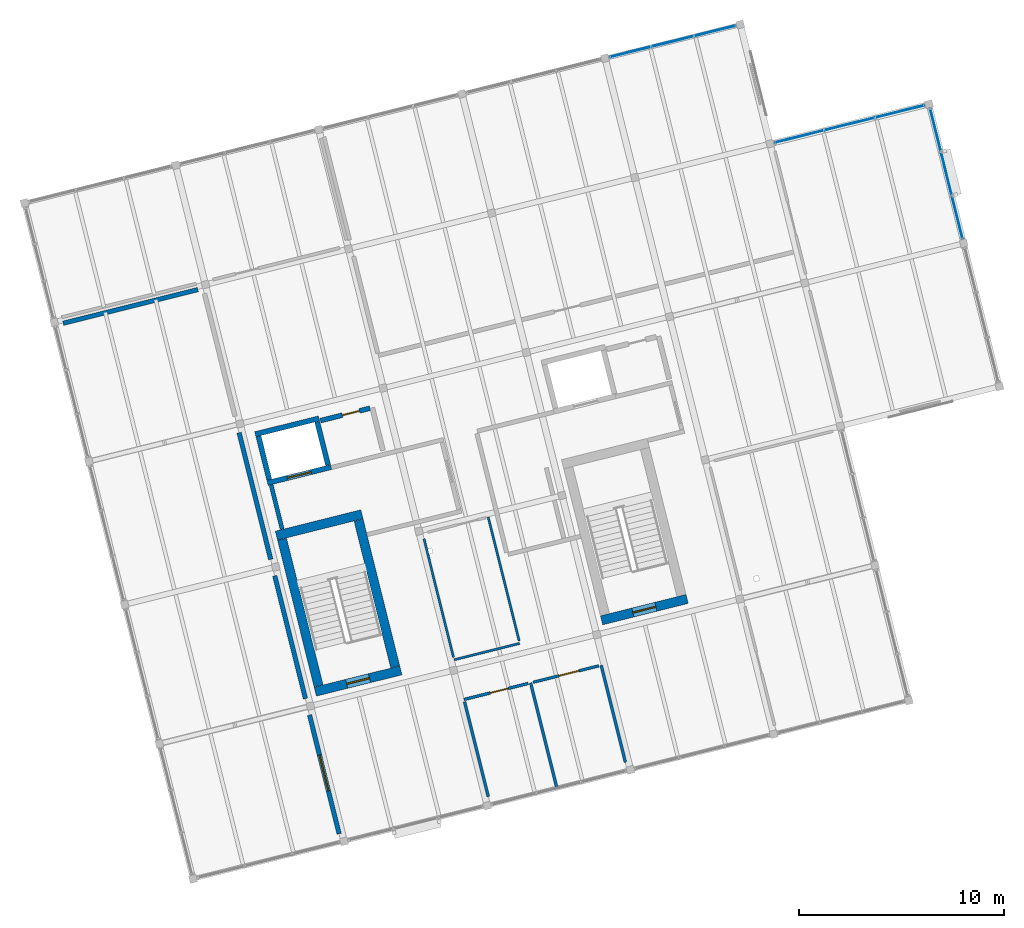
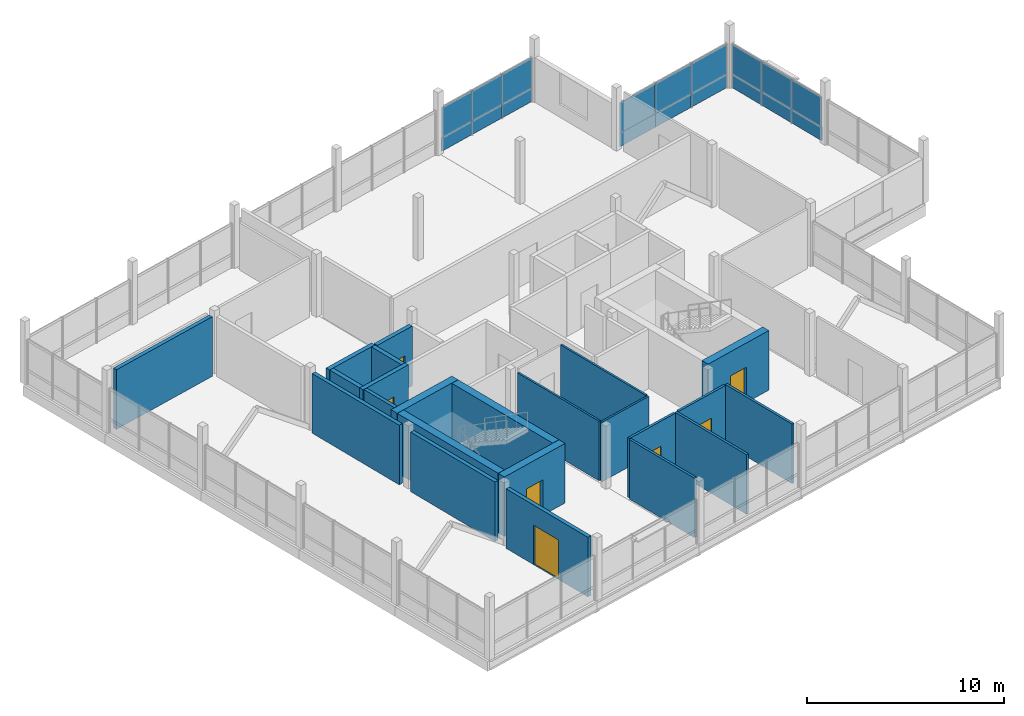
# One storey, part 23 of 26: 23 walls, 18 plates, 7 doors, 7 openings, 3 elements without a shape of their own.
"""IFC4 building model written with IfcOpenShell, lengths in metres."""

from ifc_helpers import new_model, si_unit, direction, frame, frame_2d, origin, origin_2d, place, context, subcontext, project, spatial, rectangle, extrude, material, layer, layer_set, type_object, element, fill, aggregate, save


model = new_model("IFC4")

# Units and contexts
model_context = context("Model", 3, precision=1e-05, world=origin(), true_north=direction((0.0, 1.0)))
body_context = subcontext(model_context, "Body", "Model", "MODEL_VIEW")
ifc_project = project(units=[si_unit("LENGTHUNIT", "METRE"), si_unit("AREAUNIT", "SQUARE_METRE"), si_unit("VOLUMEUNIT", "CUBIC_METRE"), si_unit("PLANEANGLEUNIT", "RADIAN"), si_unit("MASSUNIT", "GRAM", prefix="KILO")], contexts=[model_context])

# Site, building, storey
site_placement = place(None, origin())
site = spatial("IfcSite", under=ifc_project, at=site_placement, CompositionType="ELEMENT")
building_placement = place(site_placement, origin())
building = spatial("IfcBuilding", under=site, at=building_placement, Name="Meriwether Solvik Hall", CompositionType="ELEMENT")
storey_placement = place(building_placement, frame((0.0, 0.0, 41.699951171875)))
storey = spatial("IfcBuildingStorey", under=building, at=storey_placement, Name="L10", CompositionType="ELEMENT", Elevation=41.699951171875)

# Curtain wall, plates
ifc_material_1 = material(Name="Thermally Broken Anodised Aluminium 6063-T6 and Low-E Glass", Category="aluminium")
ifc_layer_1 = layer(ifc_material_1, 0.179931640625)
ifc_layer_set_1 = layer_set([ifc_layer_1], Name="Thermally Broken Anodised Aluminium 6063-T6 and Low-E Glass")
curtain_wall_type_1 = type_object("IfcCurtainWallType", Name="CW-UNIT-E", PredefinedType="USERDEFINED", material=ifc_layer_set_1)
curtain_wall_1_placement = place(storey_placement, origin())
curtain_wall_1 = element("IfcCurtainWall", 1, at=curtain_wall_1_placement, inside=storey, type_object=curtain_wall_type_1, Name="Curtain Wall E4_B0 (L10)", ObjectType="UNITISED CURTAIN WALL", PredefinedType="USERDEFINED")
ifc_material_2 = material(Name="Low-Emissivity Double-Glazed Laminated Glass", Category="glass")
ifc_layer_2 = layer(ifc_material_2, 0.031982421875)
ifc_layer_set_2 = layer_set([ifc_layer_2], Name="Low-Emissivity Double-Glazed Laminated Glass")
plate_type_1 = type_object("IfcPlateType", Name="PLT-GLZ-180X185", PredefinedType="CURTAIN_PANEL", material=ifc_layer_set_2)
plate_1_placement = place(storey_placement, frame((98.19482421875, 77.43603515625, 0.8310546875), z_axis=(0.0, 0.0, 1.0), x_axis=(0.970295706376, 0.241921975414, 0.0)))
plate_1 = element("IfcPlate", 2, at=plate_1_placement, type_object=plate_type_1, Name="Low-E Vision Glazing Panel 1", PredefinedType="CURTAIN_PANEL", context=body_context, shape_type="SweptSolid", body=[
    extrude(rectangle(XDim=2.490966796875, YDim=0.033935546875, at=origin_2d()), origin(), (0.0, 0.0, 1.0), 1.87890625),
])
plate_2_placement = place(storey_placement, frame((100.637939453125, 78.045166015625, 0.8310546875), z_axis=(0.0, 0.0, 1.0), x_axis=(0.970295706376, 0.241921975414, 0.0)))
plate_2 = element("IfcPlate", 3, at=plate_2_placement, type_object=plate_type_1, Name="Low-E Vision Glazing Panel 2", PredefinedType="CURTAIN_PANEL", context=body_context, shape_type="SweptSolid", body=[
    extrude(rectangle(XDim=2.529052734375, YDim=0.033935546875, at=origin_2d()), origin(), (0.0, 0.0, 1.0), 1.87890625),
])
plate_3_placement = place(storey_placement, frame((103.081298828125, 78.654296875, 0.8310546875), z_axis=(0.0, 0.0, 1.0), x_axis=(0.970295706376, 0.241921975414, 0.0)))
plate_3 = element("IfcPlate", 4, at=plate_3_placement, type_object=plate_type_1, Name="Low-E Vision Glazing Panel 3", PredefinedType="CURTAIN_PANEL", context=body_context, shape_type="SweptSolid", body=[
    extrude(rectangle(XDim=2.490966796875, YDim=0.033935546875, at=origin_2d()), origin(), (0.0, 0.0, 1.0), 1.87890625),
])

ifc_material_3 = material(Name="Thermally Broken Anodised Aluminium 6063-T6 and Low-E Glass", Category="aluminium")
ifc_layer_3 = layer(ifc_material_3, 0.179931640625)
ifc_layer_set_3 = layer_set([ifc_layer_3], Name="Thermally Broken Anodised Aluminium 6063-T6 and Low-E Glass")
curtain_wall_type_2 = type_object("IfcCurtainWallType", Name="CW-UNIT-D", PredefinedType="USERDEFINED", material=ifc_layer_set_3)
curtain_wall_2_placement = place(storey_placement, origin())
curtain_wall_2 = element("IfcCurtainWall", 5, at=curtain_wall_2_placement, inside=storey, type_object=curtain_wall_type_2, Name="Curtain Wall E6_B4 (L10)", ObjectType="UNITISED CURTAIN WALL", PredefinedType="USERDEFINED")
plate_4_placement = place(storey_placement, frame((89.951171875, 81.564208984375, 0.8310546875), z_axis=(0.0, 0.0, 1.0), x_axis=(0.970295737161, 0.241921851942, 0.0)))
plate_4 = element("IfcPlate", 6, at=plate_4_placement, type_object=plate_type_1, Name="Low-E Vision Glazing Panel 1", PredefinedType="CURTAIN_PANEL", context=body_context, shape_type="SweptSolid", body=[
    extrude(rectangle(XDim=2.091064453125, YDim=0.033935546875, at=origin_2d()), origin(), (0.0, 0.0, 1.0), 1.87890625),
])
plate_5_placement = place(storey_placement, frame((92.00634765625, 82.07666015625, 0.8310546875), z_axis=(0.0, 0.0, 1.0), x_axis=(0.970295737161, 0.241921851942, 0.0)))
plate_5 = element("IfcPlate", 7, at=plate_5_placement, type_object=plate_type_1, Name="Low-E Vision Glazing Panel 2", PredefinedType="CURTAIN_PANEL", context=body_context, shape_type="SweptSolid", body=[
    extrude(rectangle(XDim=2.12890625, YDim=0.033935546875, at=origin_2d()), origin(), (0.0, 0.0, 1.0), 1.87890625),
])
plate_6_placement = place(storey_placement, frame((94.061279296875, 82.589111328125, 0.8310546875), z_axis=(0.0, 0.0, 1.0), x_axis=(0.970295737161, 0.241921851942, 0.0)))
plate_6 = element("IfcPlate", 8, at=plate_6_placement, type_object=plate_type_1, Name="Low-E Vision Glazing Panel 3", PredefinedType="CURTAIN_PANEL", context=body_context, shape_type="SweptSolid", body=[
    extrude(rectangle(XDim=2.091064453125, YDim=0.033935546875, at=origin_2d()), origin(), (0.0, 0.0, 1.0), 1.87890625),
])

curtain_wall_3_placement = place(storey_placement, origin())
curtain_wall_3 = element("IfcCurtainWall", 9, at=curtain_wall_3_placement, inside=storey, type_object=curtain_wall_type_1, Name="Curtain Wall E3_B1 (L10)", ObjectType="UNITISED CURTAIN WALL", PredefinedType="USERDEFINED")
ifc_material_4 = material(Name="Low-Emissivity Double-Glazed Laminated Glass", Category="glass")
ifc_layer_4 = layer(ifc_material_4, 0.031982421875)
ifc_layer_set_4 = layer_set([ifc_layer_4], Name="Low-Emissivity Double-Glazed Laminated Glass")
plate_type_2 = type_object("IfcPlateType", Name="PLT-GLZ-225X195", PredefinedType="CURTAIN_PANEL", material=ifc_layer_set_4)
plate_7_placement = place(storey_placement, frame((104.83740234375, 77.736572265625, 0.8310546875), z_axis=(0.0, 0.0, 1.0), x_axis=(0.241921804422, -0.970295749009, 0.0)))
plate_7 = element("IfcPlate", 10, at=plate_7_placement, type_object=plate_type_2, Name="Low-E Vision Glazing Panel 1", PredefinedType="CURTAIN_PANEL", context=body_context, shape_type="SweptSolid", body=[
    extrude(rectangle(XDim=2.15771484375, YDim=0.033935546875, at=origin_2d()), origin(), (0.0, 0.0, 1.0), 1.87890625),
])
plate_8_placement = place(storey_placement, frame((105.365966796875, 75.61669921875, 0.8310546875), z_axis=(0.0, 0.0, 1.0), x_axis=(0.241921804422, -0.970295749009, 0.0)))
plate_8 = element("IfcPlate", 11, at=plate_8_placement, type_object=plate_type_2, Name="Low-E Vision Glazing Panel 2", PredefinedType="CURTAIN_PANEL", context=body_context, shape_type="SweptSolid", body=[
    extrude(rectangle(XDim=2.19580078125, YDim=0.033935546875, at=origin_2d()), origin(), (0.0, 0.0, 1.0), 1.87890625),
])
plate_9_placement = place(storey_placement, frame((105.89453125, 73.4970703125, 0.8310546875), z_axis=(0.0, 0.0, 1.0), x_axis=(0.241921804422, -0.970295749009, 0.0)))
plate_9 = element("IfcPlate", 12, at=plate_9_placement, type_object=plate_type_2, Name="Low-E Vision Glazing Panel 3", PredefinedType="CURTAIN_PANEL", context=body_context, shape_type="SweptSolid", body=[
    extrude(rectangle(XDim=2.15771484375, YDim=0.033935546875, at=origin_2d()), origin(), (0.0, 0.0, 1.0), 1.87890625),
])
ifc_material_5 = material(Name="Mineral-Wool Insulated Anodised Aluminium 6063-T6", Category="aluminium")
ifc_layer_5 = layer(ifc_material_5, 0.044921875)
ifc_layer_set_5 = layer_set([ifc_layer_5], Name="Mineral-Wool Insulated Anodised Aluminium 6063-T6")
plate_type_3 = type_object("IfcPlateType", Name="PLT-SPN-225X085", PredefinedType="CURTAIN_PANEL", material=ifc_layer_set_5)
plate_10_placement = place(storey_placement, frame((104.83740234375, 77.736572265625, 0.0), z_axis=(0.0, 0.0, 1.0), x_axis=(0.241921804422, -0.970295749009, 0.0)))
plate_10 = element("IfcPlate", 13, at=plate_10_placement, type_object=plate_type_3, Name="Insulated Spandrel Panel 1", PredefinedType="CURTAIN_PANEL", context=body_context, shape_type="SweptSolid", body=[
    extrude(rectangle(XDim=2.15771484375, YDim=0.044921875, at=origin_2d()), origin(), (0.0, 0.0, 1.0), 0.8310546875),
])
plate_11_placement = place(storey_placement, frame((105.365966796875, 75.61669921875, 0.0), z_axis=(0.0, 0.0, 1.0), x_axis=(0.241921804422, -0.970295749009, 0.0)))
plate_11 = element("IfcPlate", 14, at=plate_11_placement, type_object=plate_type_3, Name="Insulated Spandrel Panel 2", PredefinedType="CURTAIN_PANEL", context=body_context, shape_type="SweptSolid", body=[
    extrude(rectangle(XDim=2.19580078125, YDim=0.044921875, at=origin_2d()), origin(), (0.0, 0.0, 1.0), 0.8310546875),
])
plate_12_placement = place(storey_placement, frame((105.89453125, 73.4970703125, 0.0), z_axis=(0.0, 0.0, 1.0), x_axis=(0.241921804422, -0.970295749009, 0.0)))
plate_12 = element("IfcPlate", 15, at=plate_12_placement, type_object=plate_type_3, Name="Insulated Spandrel Panel 3", PredefinedType="CURTAIN_PANEL", context=body_context, shape_type="SweptSolid", body=[
    extrude(rectangle(XDim=2.15771484375, YDim=0.044921875, at=origin_2d()), origin(), (0.0, 0.0, 1.0), 0.8310546875),
])
aggregate(curtain_wall_3, [plate_10, plate_7, plate_11, plate_8, plate_12, plate_9])

# Plate
plate_13_placement = place(storey_placement, frame((98.19482421875, 77.43603515625, 0.0), z_axis=(0.0, 0.0, 1.0), x_axis=(0.970295706376, 0.241921975414, 0.0)))
plate_13 = element("IfcPlate", 16, at=plate_13_placement, type_object=plate_type_3, Name="Insulated Spandrel Panel 1", PredefinedType="CURTAIN_PANEL", context=body_context, shape_type="SweptSolid", body=[
    extrude(rectangle(XDim=2.490966796875, YDim=0.044921875, at=origin_2d()), origin(), (0.0, 0.0, 1.0), 0.8310546875),
])

plate_14_placement = place(storey_placement, frame((100.637939453125, 78.045166015625, 0.0), z_axis=(0.0, 0.0, 1.0), x_axis=(0.970295706376, 0.241921975414, 0.0)))
plate_14 = element("IfcPlate", 17, at=plate_14_placement, type_object=plate_type_3, Name="Insulated Spandrel Panel 2", PredefinedType="CURTAIN_PANEL", context=body_context, shape_type="SweptSolid", body=[
    extrude(rectangle(XDim=2.529052734375, YDim=0.044921875, at=origin_2d()), origin(), (0.0, 0.0, 1.0), 0.8310546875),
])

plate_15_placement = place(storey_placement, frame((103.081298828125, 78.654296875, 0.0), z_axis=(0.0, 0.0, 1.0), x_axis=(0.970295706376, 0.241921975414, 0.0)))
plate_15 = element("IfcPlate", 18, at=plate_15_placement, type_object=plate_type_3, Name="Insulated Spandrel Panel 3", PredefinedType="CURTAIN_PANEL", context=body_context, shape_type="SweptSolid", body=[
    extrude(rectangle(XDim=2.490966796875, YDim=0.044921875, at=origin_2d()), origin(), (0.0, 0.0, 1.0), 0.8310546875),
])

aggregate(curtain_wall_1, [plate_13, plate_1, plate_14, plate_2, plate_15, plate_3])

plate_16_placement = place(storey_placement, frame((89.951171875, 81.564208984375, 0.0), z_axis=(0.0, 0.0, 1.0), x_axis=(0.970295737161, 0.241921851942, 0.0)))
plate_16 = element("IfcPlate", 19, at=plate_16_placement, type_object=plate_type_3, Name="Insulated Spandrel Panel 1", PredefinedType="CURTAIN_PANEL", context=body_context, shape_type="SweptSolid", body=[
    extrude(rectangle(XDim=2.091064453125, YDim=0.044921875, at=origin_2d()), origin(), (0.0, 0.0, 1.0), 0.8310546875),
])

plate_17_placement = place(storey_placement, frame((92.00634765625, 82.07666015625, 0.0), z_axis=(0.0, 0.0, 1.0), x_axis=(0.970295737161, 0.241921851942, 0.0)))
plate_17 = element("IfcPlate", 20, at=plate_17_placement, type_object=plate_type_3, Name="Insulated Spandrel Panel 2", PredefinedType="CURTAIN_PANEL", context=body_context, shape_type="SweptSolid", body=[
    extrude(rectangle(XDim=2.12890625, YDim=0.044921875, at=origin_2d()), origin(), (0.0, 0.0, 1.0), 0.8310546875),
])

plate_18_placement = place(storey_placement, frame((94.061279296875, 82.589111328125, 0.0), z_axis=(0.0, 0.0, 1.0), x_axis=(0.970295737161, 0.241921851942, 0.0)))
plate_18 = element("IfcPlate", 21, at=plate_18_placement, type_object=plate_type_3, Name="Insulated Spandrel Panel 3", PredefinedType="CURTAIN_PANEL", context=body_context, shape_type="SweptSolid", body=[
    extrude(rectangle(XDim=2.091064453125, YDim=0.044921875, at=origin_2d()), origin(), (0.0, 0.0, 1.0), 0.8310546875),
])

aggregate(curtain_wall_2, [plate_16, plate_4, plate_17, plate_5, plate_18, plate_6])

# Wall, opening, door
ifc_material_6 = material(Name="Acoustic Mineral-Wool Double Gypsum Board", Category="gypsum")
ifc_layer_6 = layer(ifc_material_6, 0.219970703125)
ifc_layer_set_6 = layer_set([ifc_layer_6], Name="Acoustic Mineral-Wool Double Gypsum Board")
wall_type_1 = type_object("IfcWallType", Name="WALL-ACST-220", PredefinedType="PARTITIONING", material=ifc_layer_set_6)
wall_1_placement = place(storey_placement, frame((75.728759765625, 43.403564453125, 0.0), z_axis=(0.0, 0.0, 1.0), x_axis=(-0.24192989378, 0.970293732071, 0.0)))
wall_1 = element("IfcWall", 22, at=wall_1_placement, inside=storey, type_object=wall_type_1, Name="L10 Interior Partition conf_w_e", PredefinedType="PARTITIONING", context=body_context, shape_type="SweptSolid", body=[
    extrude(rectangle(XDim=5.97509765625, YDim=0.219970703125, at=frame_2d((2.987548828125, 0.0))), origin(), (0.0, 0.0, 1.0), 3.699951171875),
])
opening_1_placement = place(wall_1_placement, frame((2.16162109375, 0.0, 0.0)))
opening_1 = element("IfcOpeningElement", 23, at=opening_1_placement, cuts=wall_1, Name="Opening D-182", PredefinedType="OPENING", context=body_context, shape_type="SweptSolid", body=[
    extrude(rectangle(XDim=1.800048828125, YDim=2.449951171875, at=frame_2d((0.89990234375, 1.22509765625))), frame((0.0, 0.1220703125, 0.0), z_axis=(0.0, -1.0, 0.0), x_axis=(1.0, 0.0, 0.0)), (0.0, 0.0, 1.0), 0.243896484375),
])
ifc_material_7 = material(Name="Solid-Core Rift White Oak Timber", Category="wood")
door_type_1 = type_object("IfcDoorType", Name="DR-AC-1800", OperationType="DOUBLE_DOOR_SINGLE_SWING", PredefinedType="DOOR", material=ifc_material_7)
door_1_placement = place(opening_1_placement, origin())
door_1 = element("IfcDoor", 24, at=door_1_placement, inside=storey, type_object=door_type_1, Name="L10 Regional Assembly Conference Suite Door", OperationType="DOUBLE_DOOR_SINGLE_SWING", OverallHeight=2.449951171875, OverallWidth=1.800048828125, PredefinedType="DOOR", context=body_context, shape_type="SweptSolid", body=[
    extrude(rectangle(XDim=1.800048828125, YDim=2.449951171875, at=frame_2d((0.89990234375, 1.22509765625))), frame((0.0, 0.02490234375, 0.0), z_axis=(0.0, -1.0, 0.0), x_axis=(1.0, 0.0, 0.0)), (0.0, 0.0, 1.0), 0.050048828125),
])
fill(opening_1, door_1)

# Walls
wall_2_placement = place(storey_placement, frame((74.08349609375, 50.00146484375, 0.0), z_axis=(0.0, 0.0, 1.0), x_axis=(-0.241921603562, 0.970295799089, 0.0)))
element("IfcWall", 25, at=wall_2_placement, inside=storey, type_object=wall_type_1, Name="L10 Interior Partition conf_w_e_s2", PredefinedType="PARTITIONING", context=body_context, shape_type="SweptSolid", body=[
    extrude(rectangle(XDim=6.175048828125, YDim=0.219970703125, at=frame_2d((3.08740234375, 0.0))), origin(), (0.0, 0.0, 1.0), 3.699951171875),
])
wall_3_placement = place(storey_placement, frame((72.39013671875, 56.793701171875, 0.0), z_axis=(0.0, 0.0, 1.0), x_axis=(-0.241922822951, 0.970295495061, 0.0)))
element("IfcWall", 26, at=wall_3_placement, inside=storey, type_object=wall_type_1, Name="L10 Interior Partition conf_w_e_s3", PredefinedType="PARTITIONING", context=body_context, shape_type="SweptSolid", body=[
    extrude(rectangle(XDim=6.375, YDim=0.219970703125, at=frame_2d((3.1875, 0.0))), origin(), (0.0, 0.0, 1.0), 3.699951171875),
])
wall_4_placement = place(storey_placement, frame((68.83544921875, 69.96142578125, 0.0), z_axis=(0.0, 0.0, 1.0), x_axis=(-0.97029069988, -0.241942054482, 0.0)))
element("IfcWall", 27, at=wall_4_placement, inside=storey, type_object=wall_type_1, Name="L10 Interior Partition conf_w_n", PredefinedType="PARTITIONING", context=body_context, shape_type="SweptSolid", body=[
    extrude(rectangle(XDim=6.77490234375, YDim=0.219970703125, at=frame_2d((3.387451171875, 0.0))), origin(), (0.0, 0.0, 1.0), 3.699951171875),
])
ifc_material_8 = material(Name="Fire-Rated Type X Gypsum Board", Category="gypsum")
ifc_layer_7 = layer(ifc_material_8, 0.199951171875)
ifc_layer_set_7 = layer_set([ifc_layer_7], Name="Fire-Rated Type X Gypsum Board")
wall_type_2 = type_object("IfcWallType", Name="WALL-FIRE-200", PredefinedType="STANDARD", material=ifc_layer_set_7)
wall_5_placement = place(storey_placement, frame((72.94970703125, 58.269287109375, 0.0), z_axis=(0.0, 0.0, 1.0), x_axis=(-0.24194311862, 0.970290434536, 0.0)))
element("IfcWall", 28, at=wall_5_placement, inside=storey, type_object=wall_type_2, Name="L10 Interior Partition lb1_w", PredefinedType="STANDARD", context=body_context, shape_type="SweptSolid", body=[
    extrude(rectangle(XDim=2.22998046875, YDim=0.199951171875, at=frame_2d((1.114990234375, 0.0))), origin(), (0.0, 0.0, 1.0), 3.699951171875),
])
ifc_material_9 = material(Name="Tempered Laminated Glass in Anodised Aluminium Frame", Category="aluminium")
ifc_layer_8 = layer(ifc_material_9, 0.112060546875)
ifc_layer_set_8 = layer_set([ifc_layer_8], Name="Tempered Laminated Glass in Anodised Aluminium Frame")
wall_type_3 = type_object("IfcWallType", Name="WALL-GLZ-112", PredefinedType="PARTITIONING", material=ifc_layer_set_8)
wall_6_placement = place(storey_placement, frame((81.33984375, 51.89990234375, 0.0), z_axis=(0.0, 0.0, 1.0), x_axis=(0.970294627956, 0.24192630068, 0.0)))
element("IfcWall", 29, at=wall_6_placement, inside=storey, type_object=wall_type_3, Name="L10 Interior Partition sem_mid_s", PredefinedType="PARTITIONING", context=body_context, shape_type="SweptSolid", body=[
    extrude(rectangle(XDim=3.300048828125, YDim=0.112060546875, at=frame_2d((1.64990234375, 0.0))), origin(), (0.0, 0.0, 1.0), 3.699951171875),
])
wall_7_placement = place(storey_placement, frame((84.512939453125, 52.814697265625, 0.0), z_axis=(0.0, 0.0, 1.0), x_axis=(-0.241945458048, 0.970289851194, 0.0)))
element("IfcWall", 30, at=wall_7_placement, inside=storey, type_object=wall_type_3, Name="L10 Interior Partition sem_mid_e", PredefinedType="PARTITIONING", context=body_context, shape_type="SweptSolid", body=[
    extrude(rectangle(XDim=6.22998046875, YDim=0.112060546875, at=frame_2d((3.114990234375, 0.0))), origin(), (0.0, 0.0, 1.0), 3.699951171875),
])
wall_8_placement = place(storey_placement, frame((79.867431640625, 57.8056640625, 0.0), z_axis=(0.0, 0.0, 1.0), x_axis=(0.241909763279, -0.970298751123, 0.0)))
element("IfcWall", 31, at=wall_8_placement, inside=storey, type_object=wall_type_3, Name="L10 Interior Partition sem_mid_w", PredefinedType="PARTITIONING", context=body_context, shape_type="SweptSolid", body=[
    extrude(rectangle(XDim=5.966552734375, YDim=0.112060546875, at=frame_2d((2.9833984375, 0.0))), origin(), (0.0, 0.0, 1.0), 3.699951171875),
])
ifc_material_10 = material(Name="Concrete C40/50", Category="concrete")
ifc_layer_9 = layer(ifc_material_10, 0.25)
ifc_layer_set_9 = layer_set([ifc_layer_9], Name="Concrete C40/50")
wall_type_4 = type_object("IfcWallType", Name="WALL-HOIST-250", PredefinedType="SHEAR", material=ifc_layer_set_9)
wall_9_placement = place(storey_placement, frame((74.744384765625, 63.67919921875, 0.0), z_axis=(0.0, 0.0, 1.0), x_axis=(-0.970294894235, -0.241925232711, 0.0)))
element("IfcWall", 32, at=wall_9_placement, inside=storey, type_object=wall_type_4, Name="Hoistway BANK1 North Wall (L10)", PredefinedType="SHEAR", context=body_context, shape_type="SweptSolid", body=[
    extrude(rectangle(XDim=3.199951171875, YDim=0.25, at=frame_2d((1.60009765625, 0.0))), origin(), (0.0, 0.0, 1.0), 3.699951171875),
])
for number, where, z_axis, x_axis, name in (
    (33, (71.793212890625, 62.80419921875, 0.0), (0.0, 0.0, 1.0), (0.242008581424, -0.970274108959, 0.0), "Hoistway BANK1 West Wall (L10)"),
    (34, (75.18310546875, 61.402587890625, 0.0), (0.0, 0.0, 1.0), (-0.241903146974, 0.970300400641, 0.0), "Hoistway BANK1 East Wall (L10)"),
):
    element("IfcWall", number, at=place(storey_placement, frame(where, z_axis=z_axis, x_axis=x_axis)), inside=storey, type_object=wall_type_4, Name=name, PredefinedType="SHEAR", context=body_context, shape_type="SweptSolid", body=[
        extrude(rectangle(XDim=2.179931640625, YDim=0.25, at=frame_2d((1.08984375, 0.0))), origin(), (0.0, 0.0, 1.0), 3.699951171875),
    ])

# Wall, opening, door
wall_10_placement = place(storey_placement, frame((72.232177734375, 60.52783203125, 0.0), z_axis=(0.0, 0.0, 1.0), x_axis=(0.970290428474, 0.241943142934, 0.0)))
wall_10 = element("IfcWall", 35, at=wall_10_placement, inside=storey, type_object=wall_type_4, Name="Lift LF-01 Landing Wall (L10)", PredefinedType="SHEAR", context=body_context, shape_type="SweptSolid", body=[
    extrude(rectangle(XDim=3.19970703125, YDim=0.25, at=frame_2d((1.599853515625, 0.0))), origin(), (0.0, 0.0, 1.0), 3.699951171875),
])
opening_2_placement = place(wall_10_placement, frame((1.0, 0.0, 0.0)))
opening_2 = element("IfcOpeningElement", 36, at=opening_2_placement, cuts=wall_10, Name="Opening LD-01", PredefinedType="OPENING", context=body_context, shape_type="SweptSolid", body=[
    extrude(rectangle(XDim=1.199951171875, YDim=2.199951171875, at=frame_2d((0.60009765625, 1.10009765625))), frame((0.0, 0.136962890625, 0.0), z_axis=(0.0, -1.0, 0.0), x_axis=(1.0, 0.0, 0.0)), (0.0, 0.0, 1.0), 0.27392578125),
])
ifc_material_11 = material(Name="Stainless Steel AISI 316", Category="steel")
door_type_2 = type_object("IfcDoorType", Name="DR-LIFT-FSAE", OperationType="DOUBLE_DOOR_SLIDING", PredefinedType="DOOR", material=ifc_material_11)
door_2_placement = place(opening_2_placement, origin())
door_2 = element("IfcDoor", 37, at=door_2_placement, inside=storey, type_object=door_type_2, Name="Lift Landing Door LF-01 (L10)", OperationType="DOUBLE_DOOR_SLIDING", OverallHeight=2.199951171875, OverallWidth=1.199951171875, PredefinedType="DOOR", context=body_context, shape_type="SweptSolid", body=[
    extrude(rectangle(XDim=1.199951171875, YDim=2.199951171875, at=frame_2d((0.60009765625, 1.10009765625))), frame((0.0, 0.02490234375, 0.0), z_axis=(0.0, -1.0, 0.0), x_axis=(1.0, 0.0, 0.0)), (0.0, 0.0, 1.0), 0.050048828125),
])
fill(opening_2, door_2)

ifc_material_12 = material(Name="Concrete C45/55", Category="concrete")
ifc_layer_10 = layer(ifc_material_12, 0.449951171875)
ifc_layer_set_10 = layer_set([ifc_layer_10], Name="Concrete C45/55")
wall_type_5 = type_object("IfcWallType", Name="WALL-RC-450", PredefinedType="SHEAR", material=ifc_layer_set_10)
wall_11_placement = place(storey_placement, frame((74.566162109375, 50.33984375, 0.0), z_axis=(0.0, 0.0, 1.0), x_axis=(0.970292610647, 0.241934391361, 0.0)))
wall_11 = element("IfcWall", 38, at=wall_11_placement, inside=storey, type_object=wall_type_5, Name="CORE-1 Shear Wall S (L10)", PredefinedType="SHEAR", context=body_context, shape_type="SweptSolid", body=[
    extrude(rectangle(XDim=4.2998046875, YDim=0.449951171875, at=frame_2d((2.14990234375, 0.0))), origin(), (0.0, 0.0, 1.0), 3.699951171875),
])
opening_3_placement = place(wall_11_placement, frame((1.574951171875, 0.0, 0.0)))
opening_3 = element("IfcOpeningElement", 39, at=opening_3_placement, cuts=wall_11, Name="Opening D-189", PredefinedType="OPENING", context=body_context, shape_type="SweptSolid", body=[
    extrude(rectangle(XDim=1.14990234375, YDim=2.199951171875, at=frame_2d((0.574951171875, 1.10009765625))), frame((0.0, 0.23681640625, 0.0), z_axis=(0.0, -1.0, 0.0), x_axis=(1.0, 0.0, 0.0)), (0.0, 0.0, 1.0), 0.473876953125),
])
ifc_material_13 = material(Name="Steel A36 Galvanised", Category="steel")
door_type_3 = type_object("IfcDoorType", Name="DR-FD90-1150L", OperationType="SINGLE_SWING_LEFT", PredefinedType="DOOR", material=ifc_material_13)
door_3_placement = place(opening_3_placement, origin())
door_3 = element("IfcDoor", 40, at=door_3_placement, inside=storey, type_object=door_type_3, Name="Stair ST-01 Smokeproof Exit Door (L10)", OperationType="SINGLE_SWING_LEFT", OverallHeight=2.199951171875, OverallWidth=1.14990234375, PredefinedType="DOOR", context=body_context, shape_type="SweptSolid", body=[
    extrude(rectangle(XDim=1.14990234375, YDim=2.199951171875, at=frame_2d((0.574951171875, 1.10009765625))), frame((0.0, 0.02490234375, 0.0), z_axis=(0.0, -1.0, 0.0), x_axis=(1.0, 0.0, 0.0)), (0.0, 0.0, 1.0), 0.050048828125),
])
fill(opening_3, door_3)

# Walls
wall_12_placement = place(storey_placement, frame((76.83935546875, 58.996826171875, 0.0), z_axis=(0.0, 0.0, 1.0), x_axis=(-0.970295933763, -0.241921063415, 0.0)))
element("IfcWall", 41, at=wall_12_placement, inside=storey, type_object=wall_type_5, Name="CORE-1 Shear Wall N (L10)", PredefinedType="SHEAR", context=body_context, shape_type="SweptSolid", body=[
    extrude(rectangle(XDim=4.300048828125, YDim=0.449951171875, at=frame_2d((2.14990234375, 0.0))), origin(), (0.0, 0.0, 1.0), 3.699951171875),
])
for number, where, z_axis, x_axis, name in (
    (42, (72.942138671875, 57.782958984375, 0.0), (0.0, 0.0, 1.0), (0.241928426141, -0.970294098006, 0.0), "CORE-1 Shear Wall W (L10)"),
    (43, (78.463134765625, 51.5537109375, 0.0), (0.0, 0.0, 1.0), (-0.241928426141, 0.970294098006, 0.0), "CORE-1 Shear Wall E (L10)"),
):
    element("IfcWall", number, at=place(storey_placement, frame(where, z_axis=z_axis, x_axis=x_axis)), inside=storey, type_object=wall_type_5, Name=name, PredefinedType="SHEAR", context=body_context, shape_type="SweptSolid", body=[
        extrude(rectangle(XDim=7.3798828125, YDim=0.449951171875, at=frame_2d((3.68994140625, 0.0))), origin(), (0.0, 0.0, 1.0), 3.699951171875),
    ])

# Wall, opening, door
wall_13_placement = place(storey_placement, frame((88.538330078125, 53.823486328125, 0.0), z_axis=(0.0, 0.0, 1.0), x_axis=(0.970295933763, 0.241921063415, 0.0)))
wall_13 = element("IfcWall", 44, at=wall_13_placement, inside=storey, type_object=wall_type_5, Name="CORE-2 Shear Wall S (L10)", PredefinedType="SHEAR", context=body_context, shape_type="SweptSolid", body=[
    extrude(rectangle(XDim=4.300048828125, YDim=0.449951171875, at=frame_2d((2.14990234375, 0.0))), origin(), (0.0, 0.0, 1.0), 3.699951171875),
])
opening_4_placement = place(wall_13_placement, frame((1.574951171875, 0.0, 0.0)))
opening_4 = element("IfcOpeningElement", 45, at=opening_4_placement, cuts=wall_13, Name="Opening D-148", PredefinedType="OPENING", context=body_context, shape_type="SweptSolid", body=[
    extrude(rectangle(XDim=1.14990234375, YDim=2.199951171875, at=frame_2d((0.574951171875, 1.10009765625))), frame((0.0, 0.23681640625, 0.0), z_axis=(0.0, -1.0, 0.0), x_axis=(1.0, 0.0, 0.0)), (0.0, 0.0, 1.0), 0.473876953125),
])
ifc_material_14 = material(Name="Steel A36 Galvanised", Category="steel")
door_type_4 = type_object("IfcDoorType", Name="DR-FD90-1150R", OperationType="SINGLE_SWING_RIGHT", PredefinedType="DOOR", material=ifc_material_14)
door_4_placement = place(opening_4_placement, origin())
door_4 = element("IfcDoor", 46, at=door_4_placement, inside=storey, type_object=door_type_4, Name="Stair ST-02 Smokeproof Exit Door (L10)", OperationType="SINGLE_SWING_RIGHT", OverallHeight=2.199951171875, OverallWidth=1.14990234375, PredefinedType="DOOR", context=body_context, shape_type="SweptSolid", body=[
    extrude(rectangle(XDim=1.14990234375, YDim=2.199951171875, at=frame_2d((0.574951171875, 1.10009765625))), frame((0.0, 0.02490234375, 0.0), z_axis=(0.0, -1.0, 0.0), x_axis=(1.0, 0.0, 0.0)), (0.0, 0.0, 1.0), 0.050048828125),
])
fill(opening_4, door_4)

ifc_material_15 = material(Name="Concrete C35/45", Category="concrete")
ifc_layer_11 = layer(ifc_material_15, 0.239990234375)
ifc_layer_set_11 = layer_set([ifc_layer_11], Name="Concrete C35/45")
wall_type_6 = type_object("IfcWallType", Name="WALL-SHAFT-240", PredefinedType="STANDARD", material=ifc_layer_set_11)
wall_14_placement = place(storey_placement, frame((77.2294921875, 64.169921875, 0.0), z_axis=(0.0, 0.0, 1.0), x_axis=(-0.970310192441, -0.241863867589, 0.0)))
wall_14 = element("IfcWall", 47, at=wall_14_placement, inside=storey, type_object=wall_type_6, Name="L10 Interior Partition riser1_n", PredefinedType="STANDARD", context=body_context, shape_type="SweptSolid", body=[
    extrude(rectangle(XDim=2.480224609375, YDim=0.239990234375, at=frame_2d((1.240234375, 0.0))), origin(), (0.0, 0.0, 1.0), 3.699951171875),
])
opening_5_placement = place(wall_14_placement, frame((0.530029296875, 0.0, 0.0)))
opening_5 = element("IfcOpeningElement", 48, at=opening_5_placement, cuts=wall_14, Name="Opening D-102", PredefinedType="OPENING", context=body_context, shape_type="SweptSolid", body=[
    extrude(rectangle(XDim=0.85009765625, YDim=2.10009765625, at=frame_2d((0.425048828125, 1.050048828125))), frame((0.0, 0.1318359375, 0.0), z_axis=(0.0, -1.0, 0.0), x_axis=(1.0, 0.0, 0.0)), (0.0, 0.0, 1.0), 0.263916015625),
])
ifc_material_16 = material(Name="Steel A36 Galvanised", Category="steel")
door_type_5 = type_object("IfcDoorType", Name="DR-FD60-850L", OperationType="SINGLE_SWING_LEFT", PredefinedType="DOOR", material=ifc_material_16)
door_5_placement = place(opening_5_placement, origin())
door_5 = element("IfcDoor", 49, at=door_5_placement, inside=storey, type_object=door_type_5, Name="Telecom Riser Closet Door (L10)", OperationType="SINGLE_SWING_LEFT", OverallHeight=2.10009765625, OverallWidth=0.85009765625, PredefinedType="DOOR", context=body_context, shape_type="SweptSolid", body=[
    extrude(rectangle(XDim=0.85009765625, YDim=2.10009765625, at=frame_2d((0.425048828125, 1.050048828125))), frame((0.0, 0.02490234375, 0.0), z_axis=(0.0, -1.0, 0.0), x_axis=(1.0, 0.0, 0.0)), (0.0, 0.0, 1.0), 0.050048828125),
])
fill(opening_5, door_5)

# Wall
ifc_material_17 = material(Name="Moisture-Resistant Gypsum Board", Category="gypsum")
ifc_layer_12 = layer(ifc_material_17, 0.139892578125)
ifc_layer_set_12 = layer_set([ifc_layer_12], Name="Moisture-Resistant Gypsum Board")
wall_type_7 = type_object("IfcWallType", Name="WALL-WET-140", PredefinedType="PLUMBINGWALL", material=ifc_layer_set_12)
wall_15_placement = place(storey_placement, frame((86.341796875, 45.685302734375, 0.0), z_axis=(0.0, 0.0, 1.0), x_axis=(-0.24189974474, 0.970301248837, 0.0)))
element("IfcWall", 50, at=wall_15_placement, inside=storey, type_object=wall_type_7, Name="L10 Interior Partition wc_m_e", PredefinedType="PLUMBINGWALL", context=body_context, shape_type="SweptSolid", body=[
    extrude(rectangle(XDim=5.239990234375, YDim=0.139892578125, at=frame_2d((2.6201171875, 0.0))), origin(), (0.0, 0.0, 1.0), 3.699951171875),
])

# Wall, opening, door
wall_16_placement = place(storey_placement, frame((84.957763671875, 50.74072265625, 0.0), z_axis=(0.0, 0.0, 1.0), x_axis=(-0.970289047109, -0.241948682698, 0.0)))
wall_16 = element("IfcWall", 51, at=wall_16_placement, inside=storey, type_object=wall_type_7, Name="L10 Interior Partition wc_m_n", PredefinedType="PLUMBINGWALL", context=body_context, shape_type="SweptSolid", body=[
    extrude(rectangle(XDim=3.22998046875, YDim=0.139892578125, at=frame_2d((1.614990234375, 0.0))), origin(), (0.0, 0.0, 1.0), 3.699951171875),
])
opening_6_placement = place(wall_16_placement, frame((1.008544921875, 0.0, 0.0)))
opening_6 = element("IfcOpeningElement", 52, at=opening_6_placement, cuts=wall_16, Name="Opening D-174", PredefinedType="OPENING", context=body_context, shape_type="SweptSolid", body=[
    extrude(rectangle(XDim=0.89990234375, YDim=2.14990234375, at=frame_2d((0.449951171875, 1.074951171875))), frame((0.0, 0.08203125, 0.0), z_axis=(0.0, -1.0, 0.0), x_axis=(1.0, 0.0, 0.0)), (0.0, 0.0, 1.0), 0.163818359375),
])
ifc_material_18 = material(Name="Solid-Core Rift White Oak Timber", Category="wood")
door_type_6 = type_object("IfcDoorType", Name="DR-WC-900L", OperationType="SINGLE_SWING_LEFT", PredefinedType="DOOR", material=ifc_material_18)
door_6_placement = place(opening_6_placement, origin())
door_6 = element("IfcDoor", 53, at=door_6_placement, inside=storey, type_object=door_type_6, Name="L10 Restrooms Door", OperationType="SINGLE_SWING_LEFT", OverallHeight=2.14990234375, OverallWidth=0.89990234375, PredefinedType="DOOR", context=body_context, shape_type="SweptSolid", body=[
    extrude(rectangle(XDim=0.89990234375, YDim=2.14990234375, at=frame_2d((0.449951171875, 1.074951171875))), frame((0.0, 0.02490234375, 0.0), z_axis=(0.0, -1.0, 0.0), x_axis=(1.0, 0.0, 0.0)), (0.0, 0.0, 1.0), 0.050048828125),
])
fill(opening_6, door_6)

# Walls
wall_17_placement = place(storey_placement, frame((81.852783203125, 49.8427734375, 0.0), z_axis=(0.0, 0.0, 1.0), x_axis=(0.241909155499, -0.970298902651, 0.0)))
element("IfcWall", 54, at=wall_17_placement, inside=storey, type_object=wall_type_7, Name="L10 Interior Partition wc_m_w", PredefinedType="PLUMBINGWALL", context=body_context, shape_type="SweptSolid", body=[
    extrude(rectangle(XDim=4.7685546875, YDim=0.139892578125, at=frame_2d((2.38427734375, 0.0))), origin(), (0.0, 0.0, 1.0), 3.699951171875),
])
wall_18_placement = place(storey_placement, frame((89.700927734375, 46.88720703125, 0.0), z_axis=(0.0, 0.0, 1.0), x_axis=(-0.241912528441, 0.970298061723, 0.0)))
element("IfcWall", 55, at=wall_18_placement, inside=storey, type_object=wall_type_7, Name="L10 Interior Partition wc_a_e", PredefinedType="PLUMBINGWALL", context=body_context, shape_type="SweptSolid", body=[
    extrude(rectangle(XDim=4.886474609375, YDim=0.139892578125, at=frame_2d((2.443359375, 0.0))), origin(), (0.0, 0.0, 1.0), 3.699951171875),
])

# Wall, opening, door
wall_19_placement = place(storey_placement, frame((88.40234375, 51.599609375, 0.0), z_axis=(0.0, 0.0, 1.0), x_axis=(-0.970294165893, -0.241928153868, 0.0)))
wall_19 = element("IfcWall", 56, at=wall_19_placement, inside=storey, type_object=wall_type_7, Name="L10 Interior Partition wc_a_n", PredefinedType="PLUMBINGWALL", context=body_context, shape_type="SweptSolid", body=[
    extrude(rectangle(XDim=3.31005859375, YDim=0.139892578125, at=frame_2d((1.655029296875, 0.0))), origin(), (0.0, 0.0, 1.0), 3.699951171875),
])
opening_7_placement = place(wall_19_placement, frame((1.0, 0.0, 0.0)))
opening_7 = element("IfcOpeningElement", 57, at=opening_7_placement, cuts=wall_19, Name="Opening D-140", PredefinedType="OPENING", context=body_context, shape_type="SweptSolid", body=[
    extrude(rectangle(XDim=1.0, YDim=2.14990234375, at=frame_2d((0.5, 1.074951171875))), frame((0.0, 0.08203125, 0.0), z_axis=(0.0, -1.0, 0.0), x_axis=(1.0, 0.0, 0.0)), (0.0, 0.0, 1.0), 0.163818359375),
])
ifc_material_19 = material(Name="Solid-Core Rift White Oak Timber", Category="wood")
door_type_7 = type_object("IfcDoorType", Name="DR-ACC-1000L", OperationType="SINGLE_SWING_LEFT", PredefinedType="DOOR", material=ifc_material_19)
door_7_placement = place(opening_7_placement, origin())
door_7 = element("IfcDoor", 58, at=door_7_placement, inside=storey, type_object=door_type_7, Name="L10 Accessible WC Door", OperationType="SINGLE_SWING_LEFT", OverallHeight=2.14990234375, OverallWidth=1.0, PredefinedType="DOOR", context=body_context, shape_type="SweptSolid", body=[
    extrude(rectangle(XDim=1.0, YDim=2.14990234375, at=frame_2d((0.5, 1.074951171875))), frame((0.0, 0.02490234375, 0.0), z_axis=(0.0, -1.0, 0.0), x_axis=(1.0, 0.0, 0.0)), (0.0, 0.0, 1.0), 0.050048828125),
])
fill(opening_7, door_7)

save(model, "model.ifc")
